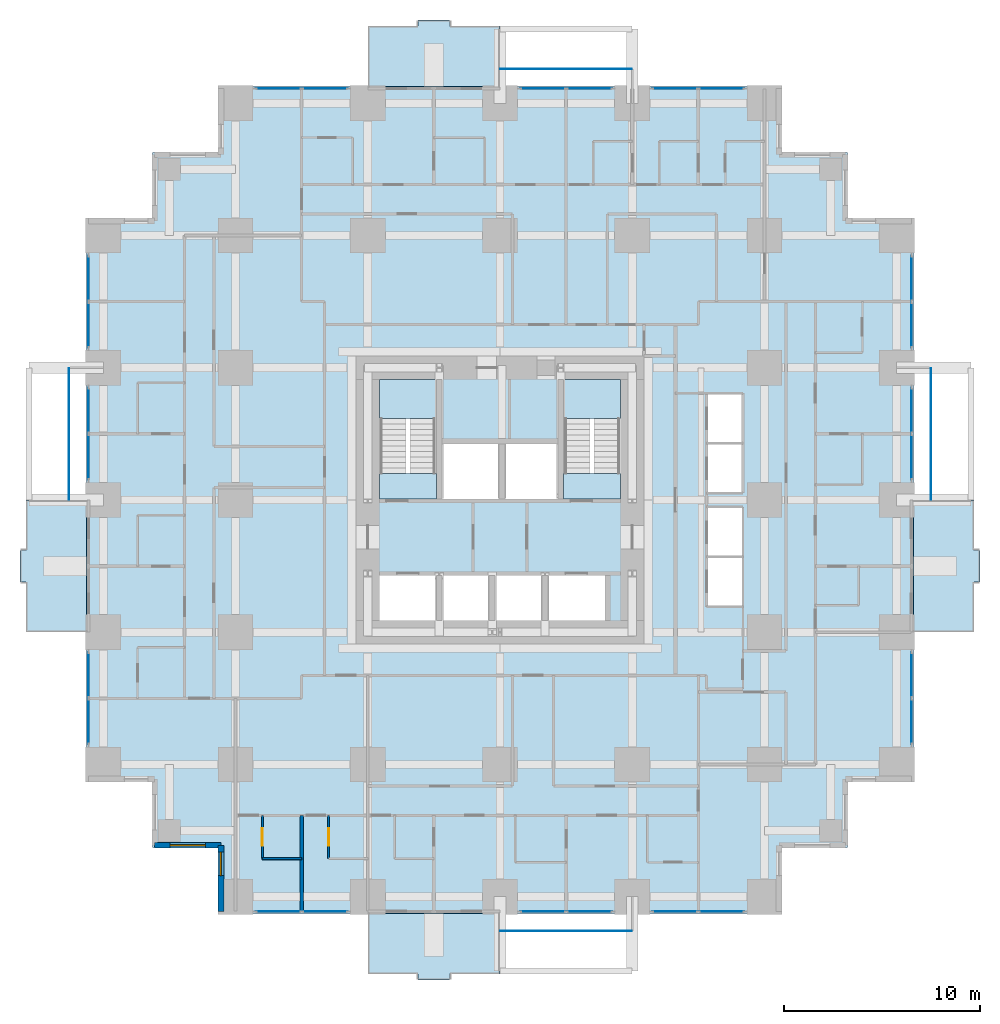
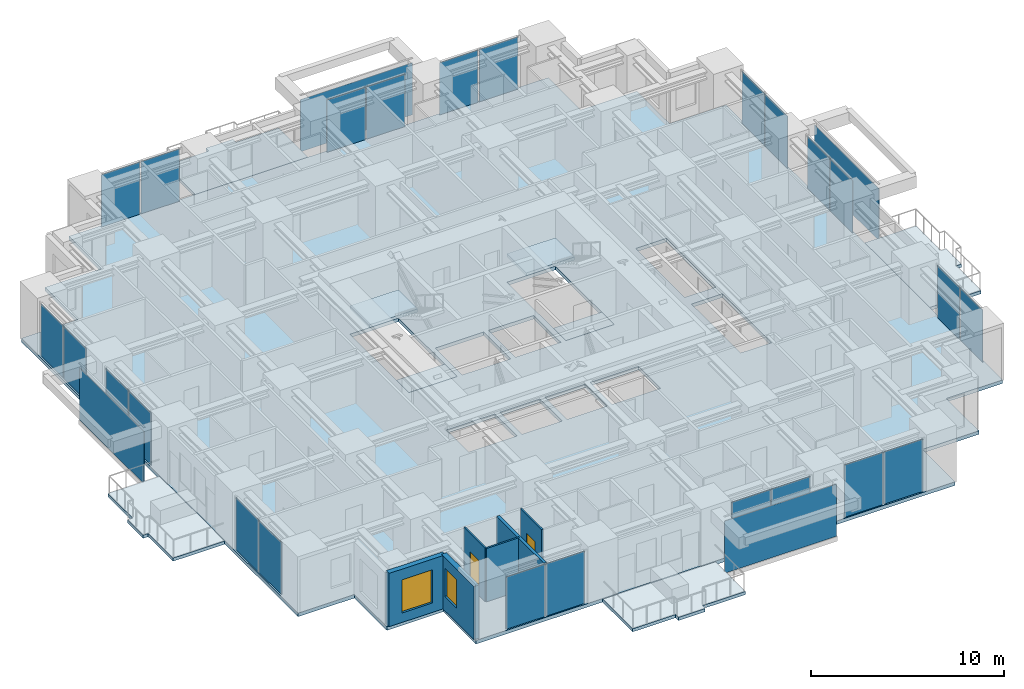
# One storey, part 7 of 14: 28 plates, 9 slabs, 6 walls, 2 doors, 2 windows, 4 openings, 14 elements without a shape of their own.
"""IFC4 building model written with IfcOpenShell, lengths in metres."""

from ifc_helpers import new_model, si_unit, direction, frame, frame_2d, origin, origin_2d, place, context, subcontext, project, spatial, polyline, rectangle, outline, extrude, material, layer, layer_set, type_object, element, fill, aggregate, save


model = new_model("IFC4")

# Units and contexts
model_context = context("Model", 3, precision=1e-05, world=origin(), true_north=direction((0.0, 1.0)))
body_context = subcontext(model_context, "Body", "Model", "MODEL_VIEW")
ifc_project = project(units=[si_unit("LENGTHUNIT", "METRE"), si_unit("AREAUNIT", "SQUARE_METRE"), si_unit("VOLUMEUNIT", "CUBIC_METRE"), si_unit("PLANEANGLEUNIT", "RADIAN"), si_unit("MASSUNIT", "GRAM", prefix="KILO")], contexts=[model_context])

# Site, building, storey
site_placement = place(None, origin())
site = spatial("IfcSite", under=ifc_project, at=site_placement, CompositionType="ELEMENT")
building_placement = place(site_placement, origin())
building = spatial("IfcBuilding", under=site, at=building_placement, Name="Nyansa Garden Tower", CompositionType="ELEMENT")
storey_placement = place(building_placement, frame((0.0, 0.0, 54.0)))
storey = spatial("IfcBuildingStorey", under=building, at=storey_placement, Name="L14", CompositionType="ELEMENT", Elevation=54.0)

# Slabs
ifc_material_1 = material(Name="Concrete C40/50", Category="concrete")
ifc_layer_1 = layer(ifc_material_1, 0.199951171875)
ifc_layer_set_1 = layer_set([ifc_layer_1], Name="Balcony slab BS200")
slab_type_1 = type_object("IfcSlabType", Name="Balcony slab BS200", PredefinedType="FLOOR", material=ifc_layer_set_1)
slab_1_placement = place(storey_placement, frame((0.0, 0.0, -0.239990234375)))
element("IfcSlab", 1, at=slab_1_placement, inside=storey, type_object=slab_type_1, Name="Balcony L14 S", PredefinedType="FLOOR", context=body_context, shape_type="SweptSolid", body=[
    extrude(outline(polyline([(13.5, -0.85009765625), (20.25, -0.85009765625), (20.25, -3.949951171875), (17.675048828125, -3.949951171875), (17.675048828125, -4.25), (16.074951171875, -4.25), (16.074951171875, -3.949951171875), (13.5, -3.949951171875), (13.5, -0.85009765625)])), origin(), (0.0, 0.0, 1.0), 0.199951171875),
])
slab_2_placement = place(storey_placement, frame((0.0, 0.0, -0.239990234375)))
element("IfcSlab", 2, at=slab_2_placement, inside=storey, type_object=slab_type_1, Name="Balcony L14 E", PredefinedType="FLOOR", context=body_context, shape_type="SweptSolid", body=[
    extrude(outline(polyline([(41.35009765625, 13.5), (41.35009765625, 20.25), (44.449951171875, 20.25), (44.449951171875, 17.675048828125), (44.75, 17.675048828125), (44.75, 16.074951171875), (44.449951171875, 16.074951171875), (44.449951171875, 13.5), (41.35009765625, 13.5)])), origin(), (0.0, 0.0, 1.0), 0.199951171875),
])
slab_3_placement = place(storey_placement, frame((0.0, 0.0, -0.239990234375)))
element("IfcSlab", 3, at=slab_3_placement, inside=storey, type_object=slab_type_1, Name="Balcony L14 N", PredefinedType="FLOOR", context=body_context, shape_type="SweptSolid", body=[
    extrude(outline(polyline([(13.5, 41.35009765625), (20.25, 41.35009765625), (20.25, 44.449951171875), (17.675048828125, 44.449951171875), (17.675048828125, 44.75), (16.074951171875, 44.75), (16.074951171875, 44.449951171875), (13.5, 44.449951171875), (13.5, 41.35009765625)])), origin(), (0.0, 0.0, 1.0), 0.199951171875),
])
slab_4_placement = place(storey_placement, frame((0.0, 0.0, -0.239990234375)))
element("IfcSlab", 4, at=slab_4_placement, inside=storey, type_object=slab_type_1, Name="Balcony L14 W", PredefinedType="FLOOR", context=body_context, shape_type="SweptSolid", body=[
    extrude(outline(polyline([(-0.85009765625, 13.5), (-0.85009765625, 20.25), (-3.949951171875, 20.25), (-3.949951171875, 17.675048828125), (-4.25, 17.675048828125), (-4.25, 16.074951171875), (-3.949951171875, 16.074951171875), (-3.949951171875, 13.5), (-0.85009765625, 13.5)])), origin(), (0.0, 0.0, 1.0), 0.199951171875),
])

# Curtain wall, plates
ifc_material_2 = material(Name="Black anodised aluminium, dark tinted double glazing", Category="aluminium")
curtain_wall_type = type_object("IfcCurtainWallType", Name="Inner skin curtain wall ISW-A", PredefinedType="USERDEFINED", material=ifc_material_2)
curtain_wall_1_placement = place(storey_placement, origin())
curtain_wall_1 = element("IfcCurtainWall", 5, at=curtain_wall_1_placement, inside=storey, type_object=curtain_wall_type, Name="Inner skin curtain wall L14 E", ObjectType="UNITISED CURTAIN WALL", PredefinedType="USERDEFINED")
ifc_material_3 = material(Name="Dark tinted laminated double glazing", Category="glass")
ifc_layer_2 = layer(ifc_material_3, 0.031982421875)
ifc_layer_set_2 = layer_set([ifc_layer_2], Name="Dark tinted vision panel VP-A")
plate_type_1 = type_object("IfcPlateType", Name="Dark tinted vision panel VP-A", PredefinedType="CURTAIN_PANEL", material=ifc_layer_set_2)
plate_1_placement = place(storey_placement, frame((41.25, 8.9375, 0.0), z_axis=(0.0, 0.0, 1.0), x_axis=(0.0, 1.0, 0.0)))
plate_1 = element("IfcPlate", 6, at=plate_1_placement, type_object=plate_type_1, Name="ISW-A panel 1", PredefinedType="CURTAIN_PANEL", context=body_context, shape_type="SweptSolid", body=[
    extrude(rectangle(XDim=2.31005859375, YDim=0.031982421875, at=origin_2d()), origin(), (0.0, 0.0, 1.0), 3.31005859375),
])
plate_2_placement = place(storey_placement, frame((41.25, 11.3125, 0.0), z_axis=(0.0, 0.0, 1.0), x_axis=(0.0, 1.0, 0.0)))
plate_2 = element("IfcPlate", 7, at=plate_2_placement, type_object=plate_type_1, Name="ISW-A panel 2", PredefinedType="CURTAIN_PANEL", context=body_context, shape_type="SweptSolid", body=[
    extrude(rectangle(XDim=2.31005859375, YDim=0.031982421875, at=origin_2d()), origin(), (0.0, 0.0, 1.0), 3.31005859375),
])
aggregate(curtain_wall_1, [plate_1, plate_2])

curtain_wall_2_placement = place(storey_placement, origin())
curtain_wall_2 = element("IfcCurtainWall", 8, at=curtain_wall_2_placement, inside=storey, type_object=curtain_wall_type, Name="Inner skin curtain wall L14 E", ObjectType="UNITISED CURTAIN WALL", PredefinedType="USERDEFINED")
plate_3_placement = place(storey_placement, frame((41.25, 22.4375, 0.0), z_axis=(0.0, 0.0, 1.0), x_axis=(0.0, 1.0, 0.0)))
plate_3 = element("IfcPlate", 9, at=plate_3_placement, type_object=plate_type_1, Name="ISW-A panel 1", PredefinedType="CURTAIN_PANEL", context=body_context, shape_type="SweptSolid", body=[
    extrude(rectangle(XDim=2.31005859375, YDim=0.031982421875, at=origin_2d()), origin(), (0.0, 0.0, 1.0), 3.31005859375),
])
plate_4_placement = place(storey_placement, frame((41.25, 24.8125, 0.0), z_axis=(0.0, 0.0, 1.0), x_axis=(0.0, 1.0, 0.0)))
plate_4 = element("IfcPlate", 10, at=plate_4_placement, type_object=plate_type_1, Name="ISW-A panel 2", PredefinedType="CURTAIN_PANEL", context=body_context, shape_type="SweptSolid", body=[
    extrude(rectangle(XDim=2.31005859375, YDim=0.031982421875, at=origin_2d()), origin(), (0.0, 0.0, 1.0), 3.31005859375),
])
aggregate(curtain_wall_2, [plate_3, plate_4])

curtain_wall_3_placement = place(storey_placement, origin())
curtain_wall_3 = element("IfcCurtainWall", 11, at=curtain_wall_3_placement, inside=storey, type_object=curtain_wall_type, Name="Inner skin curtain wall L14 E", ObjectType="UNITISED CURTAIN WALL", PredefinedType="USERDEFINED")
plate_5_placement = place(storey_placement, frame((41.25, 29.1875, 0.0), z_axis=(0.0, 0.0, 1.0), x_axis=(0.0, 1.0, 0.0)))
plate_5 = element("IfcPlate", 12, at=plate_5_placement, type_object=plate_type_1, Name="ISW-A panel 1", PredefinedType="CURTAIN_PANEL", context=body_context, shape_type="SweptSolid", body=[
    extrude(rectangle(XDim=2.31005859375, YDim=0.031982421875, at=origin_2d()), origin(), (0.0, 0.0, 1.0), 3.31005859375),
])
plate_6_placement = place(storey_placement, frame((41.25, 31.5625, 0.0), z_axis=(0.0, 0.0, 1.0), x_axis=(0.0, 1.0, 0.0)))
plate_6 = element("IfcPlate", 13, at=plate_6_placement, type_object=plate_type_1, Name="ISW-A panel 2", PredefinedType="CURTAIN_PANEL", context=body_context, shape_type="SweptSolid", body=[
    extrude(rectangle(XDim=2.31005859375, YDim=0.031982421875, at=origin_2d()), origin(), (0.0, 0.0, 1.0), 3.31005859375),
])
aggregate(curtain_wall_3, [plate_5, plate_6])

curtain_wall_4_placement = place(storey_placement, origin())
curtain_wall_4 = element("IfcCurtainWall", 14, at=curtain_wall_4_placement, inside=storey, type_object=curtain_wall_type, Name="Inner skin curtain wall L14 N", ObjectType="UNITISED CURTAIN WALL", PredefinedType="USERDEFINED")
plate_7_placement = place(storey_placement, frame((11.3125, 41.25, 0.0), z_axis=(0.0, 0.0, 1.0), x_axis=(-1.0, 0.0, 0.0)))
plate_7 = element("IfcPlate", 15, at=plate_7_placement, type_object=plate_type_1, Name="ISW-A panel 1", PredefinedType="CURTAIN_PANEL", context=body_context, shape_type="SweptSolid", body=[
    extrude(rectangle(XDim=2.31005859375, YDim=0.031982421875, at=origin_2d()), origin(), (0.0, 0.0, 1.0), 3.31005859375),
])
plate_8_placement = place(storey_placement, frame((8.9375, 41.25, 0.0), z_axis=(0.0, 0.0, 1.0), x_axis=(-1.0, 0.0, 0.0)))
plate_8 = element("IfcPlate", 16, at=plate_8_placement, type_object=plate_type_1, Name="ISW-A panel 2", PredefinedType="CURTAIN_PANEL", context=body_context, shape_type="SweptSolid", body=[
    extrude(rectangle(XDim=2.31005859375, YDim=0.031982421875, at=origin_2d()), origin(), (0.0, 0.0, 1.0), 3.31005859375),
])
aggregate(curtain_wall_4, [plate_7, plate_8])

curtain_wall_5_placement = place(storey_placement, origin())
curtain_wall_5 = element("IfcCurtainWall", 17, at=curtain_wall_5_placement, inside=storey, type_object=curtain_wall_type, Name="Inner skin curtain wall L14 N", ObjectType="UNITISED CURTAIN WALL", PredefinedType="USERDEFINED")
plate_9_placement = place(storey_placement, frame((31.5625, 41.25, 0.0), z_axis=(0.0, 0.0, 1.0), x_axis=(-1.0, 0.0, 0.0)))
plate_9 = element("IfcPlate", 18, at=plate_9_placement, type_object=plate_type_1, Name="ISW-A panel 1", PredefinedType="CURTAIN_PANEL", context=body_context, shape_type="SweptSolid", body=[
    extrude(rectangle(XDim=2.31005859375, YDim=0.031982421875, at=origin_2d()), origin(), (0.0, 0.0, 1.0), 3.31005859375),
])
plate_10_placement = place(storey_placement, frame((29.1875, 41.25, 0.0), z_axis=(0.0, 0.0, 1.0), x_axis=(-1.0, 0.0, 0.0)))
plate_10 = element("IfcPlate", 19, at=plate_10_placement, type_object=plate_type_1, Name="ISW-A panel 2", PredefinedType="CURTAIN_PANEL", context=body_context, shape_type="SweptSolid", body=[
    extrude(rectangle(XDim=2.31005859375, YDim=0.031982421875, at=origin_2d()), origin(), (0.0, 0.0, 1.0), 3.31005859375),
])
aggregate(curtain_wall_5, [plate_9, plate_10])

curtain_wall_6_placement = place(storey_placement, origin())
curtain_wall_6 = element("IfcCurtainWall", 20, at=curtain_wall_6_placement, inside=storey, type_object=curtain_wall_type, Name="Inner skin curtain wall L14 N", ObjectType="UNITISED CURTAIN WALL", PredefinedType="USERDEFINED")
plate_11_placement = place(storey_placement, frame((24.8125, 41.25, 0.0), z_axis=(0.0, 0.0, 1.0), x_axis=(-1.0, 0.0, 0.0)))
plate_11 = element("IfcPlate", 21, at=plate_11_placement, type_object=plate_type_1, Name="ISW-A panel 1", PredefinedType="CURTAIN_PANEL", context=body_context, shape_type="SweptSolid", body=[
    extrude(rectangle(XDim=2.31005859375, YDim=0.031982421875, at=origin_2d()), origin(), (0.0, 0.0, 1.0), 3.31005859375),
])
plate_12_placement = place(storey_placement, frame((22.4375, 41.25, 0.0), z_axis=(0.0, 0.0, 1.0), x_axis=(-1.0, 0.0, 0.0)))
plate_12 = element("IfcPlate", 22, at=plate_12_placement, type_object=plate_type_1, Name="ISW-A panel 2", PredefinedType="CURTAIN_PANEL", context=body_context, shape_type="SweptSolid", body=[
    extrude(rectangle(XDim=2.31005859375, YDim=0.031982421875, at=origin_2d()), origin(), (0.0, 0.0, 1.0), 3.31005859375),
])
aggregate(curtain_wall_6, [plate_11, plate_12])

curtain_wall_7_placement = place(storey_placement, origin())
curtain_wall_7 = element("IfcCurtainWall", 23, at=curtain_wall_7_placement, inside=storey, type_object=curtain_wall_type, Name="Inner skin curtain wall L14 W", ObjectType="UNITISED CURTAIN WALL", PredefinedType="USERDEFINED")
plate_13_placement = place(storey_placement, frame((-0.75, 11.3125, 0.0), z_axis=(0.0, 0.0, 1.0), x_axis=(0.0, -1.0, 0.0)))
plate_13 = element("IfcPlate", 24, at=plate_13_placement, type_object=plate_type_1, Name="ISW-A panel 1", PredefinedType="CURTAIN_PANEL", context=body_context, shape_type="SweptSolid", body=[
    extrude(rectangle(XDim=2.31005859375, YDim=0.031982421875, at=origin_2d()), origin(), (0.0, 0.0, 1.0), 3.31005859375),
])
plate_14_placement = place(storey_placement, frame((-0.75, 8.9375, 0.0), z_axis=(0.0, 0.0, 1.0), x_axis=(0.0, -1.0, 0.0)))
plate_14 = element("IfcPlate", 25, at=plate_14_placement, type_object=plate_type_1, Name="ISW-A panel 2", PredefinedType="CURTAIN_PANEL", context=body_context, shape_type="SweptSolid", body=[
    extrude(rectangle(XDim=2.31005859375, YDim=0.031982421875, at=origin_2d()), origin(), (0.0, 0.0, 1.0), 3.31005859375),
])
aggregate(curtain_wall_7, [plate_13, plate_14])

curtain_wall_8_placement = place(storey_placement, origin())
curtain_wall_8 = element("IfcCurtainWall", 26, at=curtain_wall_8_placement, inside=storey, type_object=curtain_wall_type, Name="Inner skin curtain wall L14 W", ObjectType="UNITISED CURTAIN WALL", PredefinedType="USERDEFINED")
plate_15_placement = place(storey_placement, frame((-0.75, 31.5625, 0.0), z_axis=(0.0, 0.0, 1.0), x_axis=(0.0, -1.0, 0.0)))
plate_15 = element("IfcPlate", 27, at=plate_15_placement, type_object=plate_type_1, Name="ISW-A panel 1", PredefinedType="CURTAIN_PANEL", context=body_context, shape_type="SweptSolid", body=[
    extrude(rectangle(XDim=2.31005859375, YDim=0.031982421875, at=origin_2d()), origin(), (0.0, 0.0, 1.0), 3.31005859375),
])
plate_16_placement = place(storey_placement, frame((-0.75, 29.1875, 0.0), z_axis=(0.0, 0.0, 1.0), x_axis=(0.0, -1.0, 0.0)))
plate_16 = element("IfcPlate", 28, at=plate_16_placement, type_object=plate_type_1, Name="ISW-A panel 2", PredefinedType="CURTAIN_PANEL", context=body_context, shape_type="SweptSolid", body=[
    extrude(rectangle(XDim=2.31005859375, YDim=0.031982421875, at=origin_2d()), origin(), (0.0, 0.0, 1.0), 3.31005859375),
])
aggregate(curtain_wall_8, [plate_15, plate_16])

curtain_wall_9_placement = place(storey_placement, origin())
curtain_wall_9 = element("IfcCurtainWall", 29, at=curtain_wall_9_placement, inside=storey, type_object=curtain_wall_type, Name="Inner skin curtain wall L14 W", ObjectType="UNITISED CURTAIN WALL", PredefinedType="USERDEFINED")
plate_17_placement = place(storey_placement, frame((-0.75, 24.8125, 0.0), z_axis=(0.0, 0.0, 1.0), x_axis=(0.0, -1.0, 0.0)))
plate_17 = element("IfcPlate", 30, at=plate_17_placement, type_object=plate_type_1, Name="ISW-A panel 1", PredefinedType="CURTAIN_PANEL", context=body_context, shape_type="SweptSolid", body=[
    extrude(rectangle(XDim=2.31005859375, YDim=0.031982421875, at=origin_2d()), origin(), (0.0, 0.0, 1.0), 3.31005859375),
])
plate_18_placement = place(storey_placement, frame((-0.75, 22.4375, 0.0), z_axis=(0.0, 0.0, 1.0), x_axis=(0.0, -1.0, 0.0)))
plate_18 = element("IfcPlate", 31, at=plate_18_placement, type_object=plate_type_1, Name="ISW-A panel 2", PredefinedType="CURTAIN_PANEL", context=body_context, shape_type="SweptSolid", body=[
    extrude(rectangle(XDim=2.31005859375, YDim=0.031982421875, at=origin_2d()), origin(), (0.0, 0.0, 1.0), 3.31005859375),
])
aggregate(curtain_wall_9, [plate_17, plate_18])

curtain_wall_10_placement = place(storey_placement, origin())
curtain_wall_10 = element("IfcCurtainWall", 32, at=curtain_wall_10_placement, inside=storey, type_object=curtain_wall_type, Name="Inner skin curtain wall L14 S", ObjectType="UNITISED CURTAIN WALL", PredefinedType="USERDEFINED")
plate_19_placement = place(storey_placement, frame((8.9375, -0.75, 0.0), z_axis=(0.0, 0.0, 1.0), x_axis=(1.0, 0.0, 0.0)))
plate_19 = element("IfcPlate", 33, at=plate_19_placement, type_object=plate_type_1, Name="ISW-A panel 1", PredefinedType="CURTAIN_PANEL", context=body_context, shape_type="SweptSolid", body=[
    extrude(rectangle(XDim=2.31005859375, YDim=0.031982421875, at=origin_2d()), origin(), (0.0, 0.0, 1.0), 3.31005859375),
])
plate_20_placement = place(storey_placement, frame((11.3125, -0.75, 0.0), z_axis=(0.0, 0.0, 1.0), x_axis=(1.0, 0.0, 0.0)))
plate_20 = element("IfcPlate", 34, at=plate_20_placement, type_object=plate_type_1, Name="ISW-A panel 2", PredefinedType="CURTAIN_PANEL", context=body_context, shape_type="SweptSolid", body=[
    extrude(rectangle(XDim=2.31005859375, YDim=0.031982421875, at=origin_2d()), origin(), (0.0, 0.0, 1.0), 3.31005859375),
])
aggregate(curtain_wall_10, [plate_19, plate_20])

curtain_wall_11_placement = place(storey_placement, origin())
curtain_wall_11 = element("IfcCurtainWall", 35, at=curtain_wall_11_placement, inside=storey, type_object=curtain_wall_type, Name="Inner skin curtain wall L14 S", ObjectType="UNITISED CURTAIN WALL", PredefinedType="USERDEFINED")
plate_21_placement = place(storey_placement, frame((22.4375, -0.75, 0.0), z_axis=(0.0, 0.0, 1.0), x_axis=(1.0, 0.0, 0.0)))
plate_21 = element("IfcPlate", 36, at=plate_21_placement, type_object=plate_type_1, Name="ISW-A panel 1", PredefinedType="CURTAIN_PANEL", context=body_context, shape_type="SweptSolid", body=[
    extrude(rectangle(XDim=2.31005859375, YDim=0.031982421875, at=origin_2d()), origin(), (0.0, 0.0, 1.0), 3.31005859375),
])
plate_22_placement = place(storey_placement, frame((24.8125, -0.75, 0.0), z_axis=(0.0, 0.0, 1.0), x_axis=(1.0, 0.0, 0.0)))
plate_22 = element("IfcPlate", 37, at=plate_22_placement, type_object=plate_type_1, Name="ISW-A panel 2", PredefinedType="CURTAIN_PANEL", context=body_context, shape_type="SweptSolid", body=[
    extrude(rectangle(XDim=2.31005859375, YDim=0.031982421875, at=origin_2d()), origin(), (0.0, 0.0, 1.0), 3.31005859375),
])
aggregate(curtain_wall_11, [plate_21, plate_22])

curtain_wall_12_placement = place(storey_placement, origin())
curtain_wall_12 = element("IfcCurtainWall", 38, at=curtain_wall_12_placement, inside=storey, type_object=curtain_wall_type, Name="Inner skin curtain wall L14 S", ObjectType="UNITISED CURTAIN WALL", PredefinedType="USERDEFINED")
plate_23_placement = place(storey_placement, frame((29.1875, -0.75, 0.0), z_axis=(0.0, 0.0, 1.0), x_axis=(1.0, 0.0, 0.0)))
plate_23 = element("IfcPlate", 39, at=plate_23_placement, type_object=plate_type_1, Name="ISW-A panel 1", PredefinedType="CURTAIN_PANEL", context=body_context, shape_type="SweptSolid", body=[
    extrude(rectangle(XDim=2.31005859375, YDim=0.031982421875, at=origin_2d()), origin(), (0.0, 0.0, 1.0), 3.31005859375),
])
plate_24_placement = place(storey_placement, frame((31.5625, -0.75, 0.0), z_axis=(0.0, 0.0, 1.0), x_axis=(1.0, 0.0, 0.0)))
plate_24 = element("IfcPlate", 40, at=plate_24_placement, type_object=plate_type_1, Name="ISW-A panel 2", PredefinedType="CURTAIN_PANEL", context=body_context, shape_type="SweptSolid", body=[
    extrude(rectangle(XDim=2.31005859375, YDim=0.031982421875, at=origin_2d()), origin(), (0.0, 0.0, 1.0), 3.31005859375),
])
aggregate(curtain_wall_12, [plate_23, plate_24])

# Slab
ifc_material_4 = material(Name="Concrete C40/50", Category="concrete")
ifc_layer_3 = layer(ifc_material_4, 0.22509765625)
ifc_layer_set_3 = layer_set([ifc_layer_3], Name="Floor slab FS225")
slab_type_2 = type_object("IfcSlabType", Name="Floor slab FS225", PredefinedType="FLOOR", material=ifc_layer_set_3)
slab_5_placement = place(storey_placement, frame((0.0, 0.0, -0.22509765625)))
element("IfcSlab", 41, at=slab_5_placement, inside=storey, type_object=slab_type_2, Name="Floor slab L14", PredefinedType="FLOOR", context=body_context, shape_type="SweptSolid", body=[
    extrude(outline(polyline([(41.35009765625, 5.89990234375), (37.97509765625, 5.89990234375), (37.97509765625, 2.52490234375), (34.60009765625, 2.52490234375), (34.60009765625, -0.85009765625), (5.89990234375, -0.85009765625), (5.89990234375, 2.52490234375), (2.52490234375, 2.52490234375), (2.52490234375, 5.89990234375), (-0.85009765625, 5.89990234375), (-0.85009765625, 34.60009765625), (2.52490234375, 34.60009765625), (2.52490234375, 37.97509765625), (5.89990234375, 37.97509765625), (5.89990234375, 41.35009765625), (34.60009765625, 41.35009765625), (34.60009765625, 37.97509765625), (37.97509765625, 37.97509765625), (37.97509765625, 34.60009765625), (41.35009765625, 34.60009765625), (41.35009765625, 5.89990234375)]), holes=[polyline([(14.10009765625, 14.10009765625), (17.0, 14.10009765625), (17.0, 16.39990234375), (14.10009765625, 16.39990234375), (14.10009765625, 14.10009765625)]), polyline([(17.300048828125, 14.10009765625), (19.699951171875, 14.10009765625), (19.699951171875, 16.39990234375), (17.300048828125, 16.39990234375), (17.300048828125, 14.10009765625)]), polyline([(20.0, 14.10009765625), (22.39990234375, 14.10009765625), (22.39990234375, 16.39990234375), (20.0, 16.39990234375), (20.0, 14.10009765625)]), polyline([(22.699951171875, 14.10009765625), (25.60009765625, 14.10009765625), (25.60009765625, 16.39990234375), (22.699951171875, 16.39990234375), (22.699951171875, 14.10009765625)]), polyline([(17.300048828125, 20.300048828125), (20.199951171875, 20.300048828125), (20.199951171875, 23.10009765625), (17.300048828125, 23.10009765625), (17.300048828125, 20.300048828125)]), polyline([(20.5, 20.300048828125), (23.199951171875, 20.300048828125), (23.199951171875, 23.10009765625), (20.5, 23.10009765625), (20.5, 20.300048828125)]), polyline([(30.800048828125, 14.800048828125), (32.64990234375, 14.800048828125), (32.64990234375, 19.89990234375), (30.800048828125, 19.89990234375), (30.800048828125, 14.800048828125)]), polyline([(30.800048828125, 20.60009765625), (32.64990234375, 20.60009765625), (32.64990234375, 25.699951171875), (30.800048828125, 25.699951171875), (30.800048828125, 20.60009765625)]), polyline([(14.10009765625, 20.300048828125), (17.0, 20.300048828125), (17.0, 26.39990234375), (14.10009765625, 26.39990234375), (14.10009765625, 20.300048828125)]), polyline([(23.5, 20.300048828125), (26.39990234375, 20.300048828125), (26.39990234375, 26.39990234375), (23.5, 26.39990234375), (23.5, 20.300048828125)])]), origin(), (0.0, 0.0, 1.0), 0.22509765625),
])

# Plates
ifc_material_5 = material(Name="Dark tinted laminated glass", Category="glass")
ifc_layer_4 = layer(ifc_material_5, 0.02392578125)
ifc_layer_set_4 = layer_set([ifc_layer_4], Name="Outer skin glass panel OS1")
plate_type_2 = type_object("IfcPlateType", Name="Outer skin glass panel OS1", PredefinedType="USERDEFINED", material=ifc_layer_set_4)
for number, where, z_axis, x_axis, name in (
    (42, (42.25, 23.625, -0.22509765625), (0.0, 0.0, 1.0), (0.0, 1.0, 0.0), "Outer skin glass panel L14"),
    (43, (23.625, 42.25, -0.22509765625), (0.0, 0.0, 1.0), (1.0, 0.0, 0.0), "Outer skin glass panel L14"),
    (44, (-1.75, 23.625, -0.22509765625), (0.0, 0.0, 1.0), (0.0, 1.0, 0.0), "Outer skin glass panel L14"),
    (45, (23.625, -1.75, -0.22509765625), (0.0, 0.0, 1.0), (1.0, 0.0, 0.0), "Outer skin glass panel L14"),
):
    element("IfcPlate", number, at=place(storey_placement, frame(where, z_axis=z_axis, x_axis=x_axis)), inside=storey, type_object=plate_type_2, Name=name, ObjectType="OUTER SKIN GLASS", PredefinedType="USERDEFINED", context=body_context, shape_type="SweptSolid", body=[
        extrude(rectangle(XDim=6.7099609375, YDim=0.02392578125, at=origin_2d()), origin(), (0.0, 0.0, 1.0), 3.300048828125),
    ])

# Stair, slabs
ifc_material_6 = material(Name="Precast concrete C40/50", Category="concrete")
stair_type_1 = type_object("IfcStairType", Name="Stair S1 164x280", PredefinedType="HALF_TURN_STAIR", material=ifc_material_6)
stair_1_placement = place(storey_placement, origin())
stair_1 = element("IfcStair", 46, at=stair_1_placement, inside=storey, type_object=stair_type_1, Name="Stair S1 L14", PredefinedType="HALF_TURN_STAIR")
ifc_material_7 = material(Name="Concrete C40/50", Category="concrete")
ifc_layer_5 = layer(ifc_material_7, 0.199951171875)
ifc_layer_set_5 = layer_set([ifc_layer_5], Name="Stair landing SL200")
slab_type_3 = type_object("IfcSlabType", Name="Stair landing SL200", PredefinedType="LANDING", material=ifc_layer_set_5)
slab_6_placement = place(storey_placement, frame((0.0, 0.0, -0.199951171875)))
slab_6 = element("IfcSlab", 47, at=slab_6_placement, type_object=slab_type_3, Name="S1 landing 1", PredefinedType="LANDING", context=body_context, shape_type="SweptSolid", body=[
    extrude(outline(polyline([(14.10009765625, 20.300048828125), (17.0, 20.300048828125), (17.0, 21.60009765625), (14.10009765625, 21.60009765625), (14.10009765625, 20.300048828125)])), origin(), (0.0, 0.0, 1.0), 0.199951171875),
])
slab_7_placement = place(storey_placement, frame((0.0, 0.0, 1.60009765625)))
slab_7 = element("IfcSlab", 48, at=slab_7_placement, type_object=slab_type_3, Name="S1 landing 2", PredefinedType="LANDING", context=body_context, shape_type="SweptSolid", body=[
    extrude(outline(polyline([(14.10009765625, 24.39990234375), (17.0, 24.39990234375), (17.0, 26.39990234375), (14.10009765625, 26.39990234375), (14.10009765625, 24.39990234375)])), origin(), (0.0, 0.0, 1.0), 0.199951171875),
])
aggregate(stair_1, [slab_6, slab_7])

ifc_material_8 = material(Name="Precast concrete C40/50", Category="concrete")
stair_type_2 = type_object("IfcStairType", Name="Stair S2 164x280", PredefinedType="HALF_TURN_STAIR", material=ifc_material_8)
stair_2_placement = place(storey_placement, origin())
stair_2 = element("IfcStair", 49, at=stair_2_placement, inside=storey, type_object=stair_type_2, Name="Stair S2 L14", PredefinedType="HALF_TURN_STAIR")
slab_8_placement = place(storey_placement, frame((0.0, 0.0, -0.199951171875)))
slab_8 = element("IfcSlab", 50, at=slab_8_placement, type_object=slab_type_3, Name="S2 landing 1", PredefinedType="LANDING", context=body_context, shape_type="SweptSolid", body=[
    extrude(outline(polyline([(23.5, 20.300048828125), (26.39990234375, 20.300048828125), (26.39990234375, 21.60009765625), (23.5, 21.60009765625), (23.5, 20.300048828125)])), origin(), (0.0, 0.0, 1.0), 0.199951171875),
])
slab_9_placement = place(storey_placement, frame((0.0, 0.0, 1.60009765625)))
slab_9 = element("IfcSlab", 51, at=slab_9_placement, type_object=slab_type_3, Name="S2 landing 2", PredefinedType="LANDING", context=body_context, shape_type="SweptSolid", body=[
    extrude(outline(polyline([(23.5, 24.39990234375), (26.39990234375, 24.39990234375), (26.39990234375, 26.39990234375), (23.5, 26.39990234375), (23.5, 24.39990234375)])), origin(), (0.0, 0.0, 1.0), 0.199951171875),
])
aggregate(stair_2, [slab_8, slab_9])

# Wall
ifc_material_9 = material(Name="Dense blockwork, plastered both sides, 55 dB", Category="masonry")
ifc_layer_6 = layer(ifc_material_9, 0.175048828125)
ifc_layer_set_6 = layer_set([ifc_layer_6], Name="Acoustic party wall PW175")
wall_type_1 = type_object("IfcWallType", Name="Acoustic party wall PW175", PredefinedType="PARTITIONING", material=ifc_layer_set_6)
wall_1_placement = place(storey_placement, frame((10.125, -0.73388671875, 0.0), z_axis=(0.0, 0.0, 1.0), x_axis=(0.0, 1.0, 0.0)))
element("IfcWall", 52, at=wall_1_placement, inside=storey, type_object=wall_type_1, Name="Party wall", PredefinedType="PARTITIONING", context=body_context, shape_type="SweptSolid", body=[
    extrude(rectangle(XDim=4.8837890625, YDim=0.175048828125, at=frame_2d((2.44189453125, 0.0))), origin(), (0.0, 0.0, 1.0), 3.375),
])

# Wall, opening, window
ifc_material_10 = material(Name="Turquoise glazed tile on concrete blockwork", Category="masonry")
ifc_layer_7 = layer(ifc_material_10, 0.300048828125)
ifc_layer_set_7 = layer_set([ifc_layer_7], Name="Tiled corner wall TW300")
wall_type_2 = type_object("IfcWallType", Name="Tiled corner wall TW300", PredefinedType="SOLIDWALL", material=ifc_layer_set_7)
wall_2_placement = place(storey_placement, frame((2.625, 2.625, 0.0), z_axis=(0.0, 0.0, 1.0), x_axis=(1.0, 0.0, 0.0)))
wall_2 = element("IfcWall", 53, at=wall_2_placement, inside=storey, type_object=wall_type_2, Name="Tiled corner wall L14", PredefinedType="SOLIDWALL", context=body_context, shape_type="SweptSolid", body=[
    extrude(rectangle(XDim=3.375, YDim=0.300048828125, at=frame_2d((1.6875, 0.0))), origin(), (0.0, 0.0, 1.0), 3.375),
])
opening_1_placement = place(wall_2_placement, frame((0.78759765625, 0.0, 0.60009765625)))
opening_1 = element("IfcOpeningElement", 54, at=opening_1_placement, cuts=wall_2, Name="Opening W2", PredefinedType="OPENING", context=body_context, shape_type="SweptSolid", body=[
    extrude(rectangle(XDim=1.800048828125, YDim=2.10009765625, at=frame_2d((0.89990234375, 1.050048828125))), frame((0.0, 0.159912109375, 0.0), z_axis=(0.0, -1.0, 0.0), x_axis=(1.0, 0.0, 0.0)), (0.0, 0.0, 1.0), 0.320068359375),
])
ifc_material_11 = material(Name="Black aluminium frame, dark tinted double glazing", Category="aluminium")
window_type_1 = type_object("IfcWindowType", Name="Window W2 1800x2100", PartitioningType="SINGLE_PANEL", PredefinedType="WINDOW", material=ifc_material_11)
window_1_placement = place(opening_1_placement, origin())
window_1 = element("IfcWindow", 55, at=window_1_placement, inside=storey, type_object=window_type_1, Name="Corner window L14", OverallHeight=2.10009765625, OverallWidth=1.800048828125, PartitioningType="SINGLE_PANEL", PredefinedType="WINDOW", context=body_context, shape_type="SweptSolid", body=[
    extrude(rectangle(XDim=1.800048828125, YDim=2.10009765625, at=frame_2d((0.89990234375, 1.050048828125))), frame((0.0, 0.030029296875, 0.0), z_axis=(0.0, -1.0, 0.0), x_axis=(1.0, 0.0, 0.0)), (0.0, 0.0, 1.0), 0.06005859375),
])
fill(opening_1, window_1)

wall_3_placement = place(storey_placement, frame((6.0, 2.625, 0.0), z_axis=(0.0, 0.0, 1.0), x_axis=(0.0, -1.0, 0.0)))
wall_3 = element("IfcWall", 56, at=wall_3_placement, inside=storey, type_object=wall_type_2, Name="Tiled corner wall L14", PredefinedType="SOLIDWALL", context=body_context, shape_type="SweptSolid", body=[
    extrude(rectangle(XDim=3.375, YDim=0.300048828125, at=frame_2d((1.6875, 0.0))), origin(), (0.0, 0.0, 1.0), 3.375),
])
opening_2_placement = place(wall_3_placement, frame((0.342529296875, 0.0, 0.89990234375)))
opening_2 = element("IfcOpeningElement", 57, at=opening_2_placement, cuts=wall_3, Name="Opening W4", PredefinedType="OPENING", context=body_context, shape_type="SweptSolid", body=[
    extrude(rectangle(XDim=1.199951171875, YDim=1.800048828125, at=frame_2d((0.60009765625, 0.89990234375))), frame((0.0, 0.159912109375, 0.0), z_axis=(0.0, -1.0, 0.0), x_axis=(1.0, 0.0, 0.0)), (0.0, 0.0, 1.0), 0.320068359375),
])
ifc_material_12 = material(Name="Black aluminium frame, dark tinted double glazing", Category="aluminium")
window_type_2 = type_object("IfcWindowType", Name="Window W4 1200x1800", PartitioningType="SINGLE_PANEL", PredefinedType="WINDOW", material=ifc_material_12)
window_2_placement = place(opening_2_placement, origin())
window_2 = element("IfcWindow", 58, at=window_2_placement, inside=storey, type_object=window_type_2, Name="Corner window L14", OverallHeight=1.800048828125, OverallWidth=1.199951171875, PartitioningType="SINGLE_PANEL", PredefinedType="WINDOW", context=body_context, shape_type="SweptSolid", body=[
    extrude(rectangle(XDim=1.199951171875, YDim=1.800048828125, at=frame_2d((0.60009765625, 0.89990234375))), frame((0.0, 0.030029296875, 0.0), z_axis=(0.0, -1.0, 0.0), x_axis=(1.0, 0.0, 0.0)), (0.0, 0.0, 1.0), 0.06005859375),
])
fill(opening_2, window_2)

# Wall, opening, door
ifc_material_13 = material(Name="Moisture resistant board on steel studs, tiled", Category="steel")
ifc_layer_8 = layer(ifc_material_13, 0.10009765625)
ifc_layer_set_8 = layer_set([ifc_layer_8], Name="Wet wall PW100")
wall_type_3 = type_object("IfcWallType", Name="Wet wall PW100", PredefinedType="PARTITIONING", material=ifc_layer_set_8)
wall_4_placement = place(storey_placement, frame((8.125, 1.949951171875, 0.0), z_axis=(0.0, 0.0, 1.0), x_axis=(0.0, 1.0, 0.0)))
wall_4 = element("IfcWall", 59, at=wall_4_placement, inside=storey, type_object=wall_type_3, Name="Wet wall", PredefinedType="PARTITIONING", context=body_context, shape_type="SweptSolid", body=[
    extrude(rectangle(XDim=2.199951171875, YDim=0.10009765625, at=frame_2d((1.10009765625, 0.0))), origin(), (0.0, 0.0, 1.0), 3.375),
])
opening_3_placement = place(wall_4_placement, frame((0.64990234375, 0.0, 0.0)))
opening_3 = element("IfcOpeningElement", 60, at=opening_3_placement, cuts=wall_4, Name="Opening D02", PredefinedType="OPENING", context=body_context, shape_type="SweptSolid", body=[
    extrude(rectangle(XDim=0.89990234375, YDim=2.199951171875, at=frame_2d((0.449951171875, 1.10009765625))), frame((0.0, 0.06005859375, 0.0), z_axis=(0.0, -1.0, 0.0), x_axis=(1.0, 0.0, 0.0)), (0.0, 0.0, 1.0), 0.1201171875),
])
ifc_material_14 = material(Name="Timber flush door", Category="wood")
door_type = type_object("IfcDoorType", Name="En-suite door D02 900x2200", OperationType="SINGLE_SWING_RIGHT", PredefinedType="DOOR", material=ifc_material_14)
door_1_placement = place(opening_3_placement, origin())
door_1 = element("IfcDoor", 61, at=door_1_placement, inside=storey, type_object=door_type, Name="Door L14-019", OperationType="SINGLE_SWING_RIGHT", OverallHeight=2.199951171875, OverallWidth=0.89990234375, PredefinedType="DOOR", context=body_context, shape_type="SweptSolid", body=[
    extrude(rectangle(XDim=0.89990234375, YDim=2.199951171875, at=frame_2d((0.449951171875, 1.10009765625))), frame((0.0, 0.02490234375, 0.0), z_axis=(0.0, -1.0, 0.0), x_axis=(1.0, 0.0, 0.0)), (0.0, 0.0, 1.0), 0.050048828125),
])
fill(opening_3, door_1)

# Wall
wall_5_placement = place(storey_placement, frame((8.125, 1.949951171875, 0.0), z_axis=(0.0, 0.0, 1.0), x_axis=(1.0, 0.0, 0.0)))
element("IfcWall", 62, at=wall_5_placement, inside=storey, type_object=wall_type_3, Name="Wet wall", PredefinedType="PARTITIONING", context=body_context, shape_type="SweptSolid", body=[
    extrude(rectangle(XDim=2.0, YDim=0.10009765625, at=frame_2d((1.0, 0.0))), origin(), (0.0, 0.0, 1.0), 3.375),
])

# Wall, opening, door
wall_6_placement = place(storey_placement, frame((11.5, 1.949951171875, 0.0), z_axis=(0.0, 0.0, 1.0), x_axis=(0.0, 1.0, 0.0)))
wall_6 = element("IfcWall", 63, at=wall_6_placement, inside=storey, type_object=wall_type_3, Name="Wet wall", PredefinedType="PARTITIONING", context=body_context, shape_type="SweptSolid", body=[
    extrude(rectangle(XDim=2.199951171875, YDim=0.10009765625, at=frame_2d((1.10009765625, 0.0))), origin(), (0.0, 0.0, 1.0), 3.375),
])
opening_4_placement = place(wall_6_placement, frame((0.64990234375, 0.0, 0.0)))
opening_4 = element("IfcOpeningElement", 64, at=opening_4_placement, cuts=wall_6, Name="Opening D02", PredefinedType="OPENING", context=body_context, shape_type="SweptSolid", body=[
    extrude(rectangle(XDim=0.89990234375, YDim=2.199951171875, at=frame_2d((0.449951171875, 1.10009765625))), frame((0.0, 0.06005859375, 0.0), z_axis=(0.0, -1.0, 0.0), x_axis=(1.0, 0.0, 0.0)), (0.0, 0.0, 1.0), 0.1201171875),
])
door_2_placement = place(opening_4_placement, origin())
door_2 = element("IfcDoor", 65, at=door_2_placement, inside=storey, type_object=door_type, Name="Door L14-021", OperationType="SINGLE_SWING_RIGHT", OverallHeight=2.199951171875, OverallWidth=0.89990234375, PredefinedType="DOOR", context=body_context, shape_type="SweptSolid", body=[
    extrude(rectangle(XDim=0.89990234375, YDim=2.199951171875, at=frame_2d((0.449951171875, 1.10009765625))), frame((0.0, 0.02490234375, 0.0), z_axis=(0.0, -1.0, 0.0), x_axis=(1.0, 0.0, 0.0)), (0.0, 0.0, 1.0), 0.050048828125),
])
fill(opening_4, door_2)

save(model, "model.ifc")
